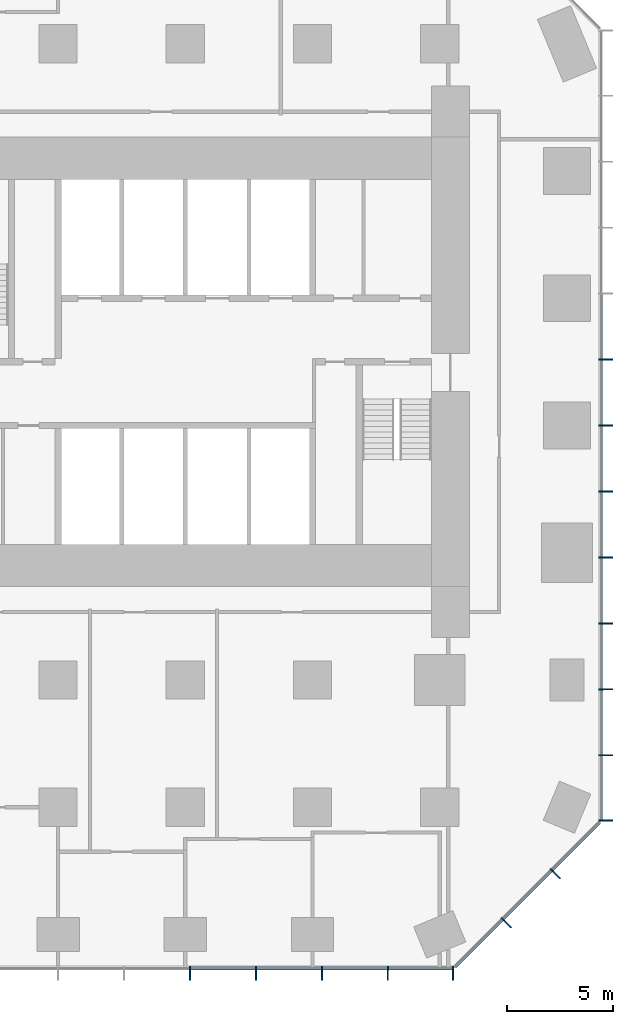
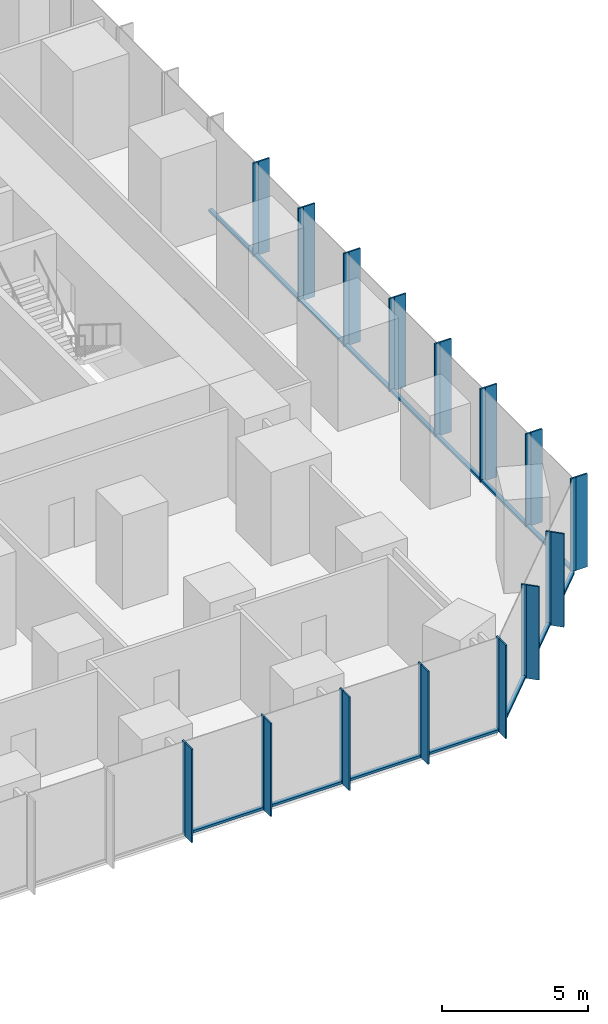
# One storey, part 4 of 12: 45 members, 3 elements without a shape of their own.
"""IFC4 building model written with IfcOpenShell, lengths in metres."""

from ifc_helpers import new_model, si_unit, direction, frame, origin, origin_2d, place, context, subcontext, project, spatial, rectangle, extrude, material, layer, layer_set, material_profile, profile_set, type_object, element, aggregate, save


model = new_model("IFC4")

# Units and contexts
model_context = context("Model", 3, precision=1e-05, world=origin(), true_north=direction((0.0, 1.0)))
body_context = subcontext(model_context, "Body", "Model", "MODEL_VIEW")
ifc_project = project(units=[si_unit("LENGTHUNIT", "METRE"), si_unit("AREAUNIT", "SQUARE_METRE"), si_unit("VOLUMEUNIT", "CUBIC_METRE"), si_unit("PLANEANGLEUNIT", "RADIAN"), si_unit("MASSUNIT", "GRAM", prefix="KILO")], contexts=[model_context])

# Site, building, storey
site_placement = place(None, origin())
site = spatial("IfcSite", under=ifc_project, at=site_placement, CompositionType="ELEMENT")
building_placement = place(site_placement, origin())
building = spatial("IfcBuilding", under=site, at=building_placement, Name="Highveld Stack Headquarters", CompositionType="ELEMENT")
storey_placement = place(building_placement, frame((0.0, 0.0, 22.10009765625)))
storey = spatial("IfcBuildingStorey", under=building, at=storey_placement, Name="L04", CompositionType="ELEMENT", Elevation=22.10009765625)

# Curtain wall, members
ifc_material_1 = material(Name="Aluminium bronze anodised", Category="aluminium")
ifc_layer_1 = layer(ifc_material_1, 0.199951171875)
ifc_layer_set_1 = layer_set([ifc_layer_1], Name="Aluminium bronze anodised")
curtain_wall_type_1 = type_object("IfcCurtainWallType", Name="CW1 TOWER UNITISED CURTAIN WALL", PredefinedType="NOTDEFINED", material=ifc_layer_set_1)
curtain_wall_1_placement = place(storey_placement, origin())
curtain_wall_1 = element("IfcCurtainWall", 1, at=curtain_wall_1_placement, inside=storey, type_object=curtain_wall_type_1, Name="Curtain wall CW1 L04 S", PredefinedType="NOTDEFINED")
ifc_material_2 = material(Name="Aluminium bronze anodised", Category="aluminium")
ifc_material_profile_1 = material_profile(ifc_material_2, rectangle(XDim=0.449951171875, YDim=0.06005859375, at=origin_2d()), Name="FIN 450x60")
ifc_profile_set_1 = profile_set([ifc_material_profile_1], Name="Aluminium bronze anodised")
member_type_1 = type_object("IfcMemberType", Name="CW1 BRONZE FIN 450x60", PredefinedType="USERDEFINED", material=ifc_profile_set_1)
member_1_placement = place(storey_placement, frame((6.220947265625, -25.925048828125, 0.0), z_axis=(0.0, 0.0, 1.0), x_axis=(0.0, 1.0, 0.0)))
member_1 = element("IfcMember", 2, at=member_1_placement, type_object=member_type_1, Name="CW1 fin L04 9", ObjectType="FIN", PredefinedType="USERDEFINED", context=body_context, shape_type="SweptSolid", body=[
    extrude(rectangle(XDim=0.449951171875, YDim=0.06005859375, at=origin_2d()), origin(), (0.0, 0.0, 1.0), 3.89990234375),
])
member_2_placement = place(storey_placement, frame((9.331298828125, -25.925048828125, 0.0), z_axis=(0.0, 0.0, 1.0), x_axis=(0.0, 1.0, 0.0)))
member_2 = element("IfcMember", 3, at=member_2_placement, type_object=member_type_1, Name="CW1 fin L04 10", ObjectType="FIN", PredefinedType="USERDEFINED", context=body_context, shape_type="SweptSolid", body=[
    extrude(rectangle(XDim=0.449951171875, YDim=0.06005859375, at=origin_2d()), origin(), (0.0, 0.0, 1.0), 3.89990234375),
])
member_3_placement = place(storey_placement, frame((12.44189453125, -25.925048828125, 0.0), z_axis=(0.0, 0.0, 1.0), x_axis=(0.0, 1.0, 0.0)))
member_3 = element("IfcMember", 4, at=member_3_placement, type_object=member_type_1, Name="CW1 fin L04 11", ObjectType="FIN", PredefinedType="USERDEFINED", context=body_context, shape_type="SweptSolid", body=[
    extrude(rectangle(XDim=0.449951171875, YDim=0.06005859375, at=origin_2d()), origin(), (0.0, 0.0, 1.0), 3.89990234375),
])
member_4_placement = place(storey_placement, frame((15.55224609375, -25.925048828125, 0.0), z_axis=(0.0, 0.0, 1.0), x_axis=(0.0, 1.0, 0.0)))
member_4 = element("IfcMember", 5, at=member_4_placement, type_object=member_type_1, Name="CW1 fin L04 12", ObjectType="FIN", PredefinedType="USERDEFINED", context=body_context, shape_type="SweptSolid", body=[
    extrude(rectangle(XDim=0.449951171875, YDim=0.06005859375, at=origin_2d()), origin(), (0.0, 0.0, 1.0), 3.89990234375),
])
member_5_placement = place(storey_placement, frame((18.630126953125, -25.925048828125, 0.0), z_axis=(0.0, 0.0, 1.0), x_axis=(0.0, 1.0, 0.0)))
member_5 = element("IfcMember", 6, at=member_5_placement, type_object=member_type_1, Name="CW1 fin L04 13", ObjectType="FIN", PredefinedType="USERDEFINED", context=body_context, shape_type="SweptSolid", body=[
    extrude(rectangle(XDim=0.449951171875, YDim=0.06005859375, at=origin_2d()), origin(), (0.0, 0.0, 1.0), 3.89990234375),
])

curtain_wall_2_placement = place(storey_placement, origin())
curtain_wall_2 = element("IfcCurtainWall", 7, at=curtain_wall_2_placement, inside=storey, type_object=curtain_wall_type_1, Name="Curtain wall CW1 L04 E", PredefinedType="NOTDEFINED")
member_6_placement = place(storey_placement, frame((25.925048828125, -18.630126953125, 0.0), z_axis=(0.0, 0.0, 1.0), x_axis=(-1.0, 0.0, 0.0)))
member_6 = element("IfcMember", 8, at=member_6_placement, type_object=member_type_1, Name="CW1 fin L04 1", ObjectType="FIN", PredefinedType="USERDEFINED", context=body_context, shape_type="SweptSolid", body=[
    extrude(rectangle(XDim=0.449951171875, YDim=0.06005859375, at=origin_2d()), origin(), (0.0, 0.0, 1.0), 3.89990234375),
])
member_7_placement = place(storey_placement, frame((25.925048828125, -15.55224609375, 0.0), z_axis=(0.0, 0.0, 1.0), x_axis=(-1.0, 0.0, 0.0)))
member_7 = element("IfcMember", 9, at=member_7_placement, type_object=member_type_1, Name="CW1 fin L04 2", ObjectType="FIN", PredefinedType="USERDEFINED", context=body_context, shape_type="SweptSolid", body=[
    extrude(rectangle(XDim=0.449951171875, YDim=0.06005859375, at=origin_2d()), origin(), (0.0, 0.0, 1.0), 3.89990234375),
])
member_8_placement = place(storey_placement, frame((25.925048828125, -12.44189453125, 0.0), z_axis=(0.0, 0.0, 1.0), x_axis=(-1.0, 0.0, 0.0)))
member_8 = element("IfcMember", 10, at=member_8_placement, type_object=member_type_1, Name="CW1 fin L04 3", ObjectType="FIN", PredefinedType="USERDEFINED", context=body_context, shape_type="SweptSolid", body=[
    extrude(rectangle(XDim=0.449951171875, YDim=0.06005859375, at=origin_2d()), origin(), (0.0, 0.0, 1.0), 3.89990234375),
])
member_9_placement = place(storey_placement, frame((25.925048828125, -9.331298828125, 0.0), z_axis=(0.0, 0.0, 1.0), x_axis=(-1.0, 0.0, 0.0)))
member_9 = element("IfcMember", 11, at=member_9_placement, type_object=member_type_1, Name="CW1 fin L04 4", ObjectType="FIN", PredefinedType="USERDEFINED", context=body_context, shape_type="SweptSolid", body=[
    extrude(rectangle(XDim=0.449951171875, YDim=0.06005859375, at=origin_2d()), origin(), (0.0, 0.0, 1.0), 3.89990234375),
])
member_10_placement = place(storey_placement, frame((25.925048828125, -6.220947265625, 0.0), z_axis=(0.0, 0.0, 1.0), x_axis=(-1.0, 0.0, 0.0)))
member_10 = element("IfcMember", 12, at=member_10_placement, type_object=member_type_1, Name="CW1 fin L04 5", ObjectType="FIN", PredefinedType="USERDEFINED", context=body_context, shape_type="SweptSolid", body=[
    extrude(rectangle(XDim=0.449951171875, YDim=0.06005859375, at=origin_2d()), origin(), (0.0, 0.0, 1.0), 3.89990234375),
])
member_11_placement = place(storey_placement, frame((25.925048828125, -3.110595703125, 0.0), z_axis=(0.0, 0.0, 1.0), x_axis=(-1.0, 0.0, 0.0)))
member_11 = element("IfcMember", 13, at=member_11_placement, type_object=member_type_1, Name="CW1 fin L04 6", ObjectType="FIN", PredefinedType="USERDEFINED", context=body_context, shape_type="SweptSolid", body=[
    extrude(rectangle(XDim=0.449951171875, YDim=0.06005859375, at=origin_2d()), origin(), (0.0, 0.0, 1.0), 3.89990234375),
])
member_12_placement = place(storey_placement, frame((25.925048828125, 0.0, 0.0), z_axis=(0.0, 0.0, 1.0), x_axis=(-1.0, 0.0, 0.0)))
member_12 = element("IfcMember", 14, at=member_12_placement, type_object=member_type_1, Name="CW1 fin L04 7", ObjectType="FIN", PredefinedType="USERDEFINED", context=body_context, shape_type="SweptSolid", body=[
    extrude(rectangle(XDim=0.449951171875, YDim=0.06005859375, at=origin_2d()), origin(), (0.0, 0.0, 1.0), 3.89990234375),
])
member_13_placement = place(storey_placement, frame((25.925048828125, 3.110595703125, 0.0), z_axis=(0.0, 0.0, 1.0), x_axis=(-1.0, 0.0, 0.0)))
member_13 = element("IfcMember", 15, at=member_13_placement, type_object=member_type_1, Name="CW1 fin L04 8", ObjectType="FIN", PredefinedType="USERDEFINED", context=body_context, shape_type="SweptSolid", body=[
    extrude(rectangle(XDim=0.449951171875, YDim=0.06005859375, at=origin_2d()), origin(), (0.0, 0.0, 1.0), 3.89990234375),
])

# Member
ifc_material_3 = material(Name="Aluminium bronze anodised", Category="aluminium")
ifc_material_profile_2 = material_profile(ifc_material_3, rectangle(XDim=0.199951171875, YDim=0.06494140625, at=origin_2d()), Name="CW1 MULLION 65x200")
ifc_profile_set_2 = profile_set([ifc_material_profile_2], Name="Aluminium bronze anodised")
member_type_2 = type_object("IfcMemberType", Name="CW1 MULLION 65x200", PredefinedType="MULLION", material=ifc_profile_set_2)
member_14_placement = place(storey_placement, frame((6.220947265625, -25.60009765625, 0.0), z_axis=(0.0, 0.0, 1.0), x_axis=(0.0, 1.0, 0.0)))
member_14 = element("IfcMember", 16, at=member_14_placement, type_object=member_type_2, Name="CW1 mullion L04 9", PredefinedType="MULLION", context=body_context, shape_type="SweptSolid", body=[
    extrude(rectangle(XDim=0.199951171875, YDim=0.06494140625, at=origin_2d()), origin(), (0.0, 0.0, 1.0), 3.89990234375),
])

member_15_placement = place(storey_placement, frame((9.331298828125, -25.60009765625, 0.0), z_axis=(0.0, 0.0, 1.0), x_axis=(0.0, 1.0, 0.0)))
member_15 = element("IfcMember", 17, at=member_15_placement, type_object=member_type_2, Name="CW1 mullion L04 10", PredefinedType="MULLION", context=body_context, shape_type="SweptSolid", body=[
    extrude(rectangle(XDim=0.199951171875, YDim=0.06494140625, at=origin_2d()), origin(), (0.0, 0.0, 1.0), 3.89990234375),
])

member_16_placement = place(storey_placement, frame((12.44189453125, -25.60009765625, 0.0), z_axis=(0.0, 0.0, 1.0), x_axis=(0.0, 1.0, 0.0)))
member_16 = element("IfcMember", 18, at=member_16_placement, type_object=member_type_2, Name="CW1 mullion L04 11", PredefinedType="MULLION", context=body_context, shape_type="SweptSolid", body=[
    extrude(rectangle(XDim=0.199951171875, YDim=0.06494140625, at=origin_2d()), origin(), (0.0, 0.0, 1.0), 3.89990234375),
])

member_17_placement = place(storey_placement, frame((15.55224609375, -25.60009765625, 0.0), z_axis=(0.0, 0.0, 1.0), x_axis=(0.0, 1.0, 0.0)))
member_17 = element("IfcMember", 19, at=member_17_placement, type_object=member_type_2, Name="CW1 mullion L04 12", PredefinedType="MULLION", context=body_context, shape_type="SweptSolid", body=[
    extrude(rectangle(XDim=0.199951171875, YDim=0.06494140625, at=origin_2d()), origin(), (0.0, 0.0, 1.0), 3.89990234375),
])

member_18_placement = place(storey_placement, frame((18.630126953125, -25.60009765625, 0.0), z_axis=(0.0, 0.0, 1.0), x_axis=(0.0, 1.0, 0.0)))
member_18 = element("IfcMember", 20, at=member_18_placement, type_object=member_type_2, Name="CW1 mullion L04 13", PredefinedType="MULLION", context=body_context, shape_type="SweptSolid", body=[
    extrude(rectangle(XDim=0.199951171875, YDim=0.06494140625, at=origin_2d()), origin(), (0.0, 0.0, 1.0), 3.89990234375),
])

member_19_placement = place(storey_placement, frame((25.60009765625, -18.630126953125, 0.0), z_axis=(0.0, 0.0, 1.0), x_axis=(-1.0, 0.0, 0.0)))
member_19 = element("IfcMember", 21, at=member_19_placement, type_object=member_type_2, Name="CW1 mullion L04 1", PredefinedType="MULLION", context=body_context, shape_type="SweptSolid", body=[
    extrude(rectangle(XDim=0.199951171875, YDim=0.06494140625, at=origin_2d()), origin(), (0.0, 0.0, 1.0), 3.89990234375),
])

member_20_placement = place(storey_placement, frame((25.60009765625, -15.55224609375, 0.0), z_axis=(0.0, 0.0, 1.0), x_axis=(-1.0, 0.0, 0.0)))
member_20 = element("IfcMember", 22, at=member_20_placement, type_object=member_type_2, Name="CW1 mullion L04 2", PredefinedType="MULLION", context=body_context, shape_type="SweptSolid", body=[
    extrude(rectangle(XDim=0.199951171875, YDim=0.06494140625, at=origin_2d()), origin(), (0.0, 0.0, 1.0), 3.89990234375),
])

member_21_placement = place(storey_placement, frame((25.60009765625, -12.44189453125, 0.0), z_axis=(0.0, 0.0, 1.0), x_axis=(-1.0, 0.0, 0.0)))
member_21 = element("IfcMember", 23, at=member_21_placement, type_object=member_type_2, Name="CW1 mullion L04 3", PredefinedType="MULLION", context=body_context, shape_type="SweptSolid", body=[
    extrude(rectangle(XDim=0.199951171875, YDim=0.06494140625, at=origin_2d()), origin(), (0.0, 0.0, 1.0), 3.89990234375),
])

member_22_placement = place(storey_placement, frame((25.60009765625, -9.331298828125, 0.0), z_axis=(0.0, 0.0, 1.0), x_axis=(-1.0, 0.0, 0.0)))
member_22 = element("IfcMember", 24, at=member_22_placement, type_object=member_type_2, Name="CW1 mullion L04 4", PredefinedType="MULLION", context=body_context, shape_type="SweptSolid", body=[
    extrude(rectangle(XDim=0.199951171875, YDim=0.06494140625, at=origin_2d()), origin(), (0.0, 0.0, 1.0), 3.89990234375),
])

member_23_placement = place(storey_placement, frame((25.60009765625, -6.220947265625, 0.0), z_axis=(0.0, 0.0, 1.0), x_axis=(-1.0, 0.0, 0.0)))
member_23 = element("IfcMember", 25, at=member_23_placement, type_object=member_type_2, Name="CW1 mullion L04 5", PredefinedType="MULLION", context=body_context, shape_type="SweptSolid", body=[
    extrude(rectangle(XDim=0.199951171875, YDim=0.06494140625, at=origin_2d()), origin(), (0.0, 0.0, 1.0), 3.89990234375),
])

member_24_placement = place(storey_placement, frame((25.60009765625, -3.110595703125, 0.0), z_axis=(0.0, 0.0, 1.0), x_axis=(-1.0, 0.0, 0.0)))
member_24 = element("IfcMember", 26, at=member_24_placement, type_object=member_type_2, Name="CW1 mullion L04 6", PredefinedType="MULLION", context=body_context, shape_type="SweptSolid", body=[
    extrude(rectangle(XDim=0.199951171875, YDim=0.06494140625, at=origin_2d()), origin(), (0.0, 0.0, 1.0), 3.89990234375),
])

member_25_placement = place(storey_placement, frame((25.60009765625, 0.0, 0.0), z_axis=(0.0, 0.0, 1.0), x_axis=(-1.0, 0.0, 0.0)))
member_25 = element("IfcMember", 27, at=member_25_placement, type_object=member_type_2, Name="CW1 mullion L04 7", PredefinedType="MULLION", context=body_context, shape_type="SweptSolid", body=[
    extrude(rectangle(XDim=0.199951171875, YDim=0.06494140625, at=origin_2d()), origin(), (0.0, 0.0, 1.0), 3.89990234375),
])

member_26_placement = place(storey_placement, frame((25.60009765625, 3.110595703125, 0.0), z_axis=(0.0, 0.0, 1.0), x_axis=(-1.0, 0.0, 0.0)))
member_26 = element("IfcMember", 28, at=member_26_placement, type_object=member_type_2, Name="CW1 mullion L04 8", PredefinedType="MULLION", context=body_context, shape_type="SweptSolid", body=[
    extrude(rectangle(XDim=0.199951171875, YDim=0.06494140625, at=origin_2d()), origin(), (0.0, 0.0, 1.0), 3.89990234375),
])

ifc_material_4 = material(Name="Aluminium bronze anodised", Category="aluminium")
ifc_material_profile_3 = material_profile(ifc_material_4, rectangle(XDim=0.14990234375, YDim=0.10009765625, at=origin_2d()), Name="CW1 TRANSOM 150x100")
ifc_profile_set_3 = profile_set([ifc_material_profile_3], Name="Aluminium bronze anodised")
member_type_3 = type_object("IfcMemberType", Name="CW1 STACK TRANSOM 150x100", PredefinedType="USERDEFINED", material=ifc_profile_set_3)
member_27_placement = place(storey_placement, frame((6.25341796875, -25.60009765625, 0.0498046875), z_axis=(1.0, 0.0, 0.0), x_axis=(0.0, 1.0, 0.0)))
member_27 = element("IfcMember", 29, at=member_27_placement, type_object=member_type_3, Name="CW1 transom L04 9.1", ObjectType="TRANSOM", PredefinedType="USERDEFINED", context=body_context, shape_type="SweptSolid", body=[
    extrude(rectangle(XDim=0.14990234375, YDim=0.10009765625, at=origin_2d()), origin(), (0.0, 0.0, 1.0), 3.04541015625),
])

member_28_placement = place(storey_placement, frame((9.36376953125, -25.60009765625, 0.0498046875), z_axis=(1.0, 0.0, 0.0), x_axis=(0.0, 1.0, 0.0)))
member_28 = element("IfcMember", 30, at=member_28_placement, type_object=member_type_3, Name="CW1 transom L04 10.1", ObjectType="TRANSOM", PredefinedType="USERDEFINED", context=body_context, shape_type="SweptSolid", body=[
    extrude(rectangle(XDim=0.14990234375, YDim=0.10009765625, at=origin_2d()), origin(), (0.0, 0.0, 1.0), 3.04541015625),
])

member_29_placement = place(storey_placement, frame((12.474365234375, -25.60009765625, 0.0498046875), z_axis=(1.0, 0.0, 0.0), x_axis=(0.0, 1.0, 0.0)))
member_29 = element("IfcMember", 31, at=member_29_placement, type_object=member_type_3, Name="CW1 transom L04 11.1", ObjectType="TRANSOM", PredefinedType="USERDEFINED", context=body_context, shape_type="SweptSolid", body=[
    extrude(rectangle(XDim=0.14990234375, YDim=0.10009765625, at=origin_2d()), origin(), (0.0, 0.0, 1.0), 3.04541015625),
])

member_30_placement = place(storey_placement, frame((15.584716796875, -25.60009765625, 0.0498046875), z_axis=(1.0, 0.0, 0.0), x_axis=(0.0, 1.0, 0.0)))
member_30 = element("IfcMember", 32, at=member_30_placement, type_object=member_type_3, Name="CW1 transom L04 12.1", ObjectType="TRANSOM", PredefinedType="USERDEFINED", context=body_context, shape_type="SweptSolid", body=[
    extrude(rectangle(XDim=0.14990234375, YDim=0.10009765625, at=origin_2d()), origin(), (0.0, 0.0, 1.0), 3.012939453125),
])

aggregate(curtain_wall_1, [member_14, member_1, member_15, member_2, member_16, member_3, member_17, member_4, member_18, member_5, member_27, member_28, member_29, member_30])

member_31_placement = place(storey_placement, frame((25.60009765625, -18.59765625, 0.0498046875), z_axis=(0.0, 1.0, 0.0), x_axis=(-1.0, 0.0, 0.0)))
member_31 = element("IfcMember", 33, at=member_31_placement, type_object=member_type_3, Name="CW1 transom L04 1.1", ObjectType="TRANSOM", PredefinedType="USERDEFINED", context=body_context, shape_type="SweptSolid", body=[
    extrude(rectangle(XDim=0.14990234375, YDim=0.10009765625, at=origin_2d()), origin(), (0.0, 0.0, 1.0), 3.012939453125),
])

member_32_placement = place(storey_placement, frame((25.60009765625, -15.519775390625, 0.0498046875), z_axis=(0.0, 1.0, 0.0), x_axis=(-1.0, 0.0, 0.0)))
member_32 = element("IfcMember", 34, at=member_32_placement, type_object=member_type_3, Name="CW1 transom L04 2.1", ObjectType="TRANSOM", PredefinedType="USERDEFINED", context=body_context, shape_type="SweptSolid", body=[
    extrude(rectangle(XDim=0.14990234375, YDim=0.10009765625, at=origin_2d()), origin(), (0.0, 0.0, 1.0), 3.04541015625),
])

member_33_placement = place(storey_placement, frame((25.60009765625, -12.4091796875, 0.0498046875), z_axis=(0.0, 1.0, 0.0), x_axis=(-1.0, 0.0, 0.0)))
member_33 = element("IfcMember", 35, at=member_33_placement, type_object=member_type_3, Name="CW1 transom L04 3.1", ObjectType="TRANSOM", PredefinedType="USERDEFINED", context=body_context, shape_type="SweptSolid", body=[
    extrude(rectangle(XDim=0.14990234375, YDim=0.10009765625, at=origin_2d()), origin(), (0.0, 0.0, 1.0), 3.045166015625),
])

member_34_placement = place(storey_placement, frame((25.60009765625, -9.298828125, 0.0498046875), z_axis=(0.0, 1.0, 0.0), x_axis=(-1.0, 0.0, 0.0)))
member_34 = element("IfcMember", 36, at=member_34_placement, type_object=member_type_3, Name="CW1 transom L04 4.1", ObjectType="TRANSOM", PredefinedType="USERDEFINED", context=body_context, shape_type="SweptSolid", body=[
    extrude(rectangle(XDim=0.14990234375, YDim=0.10009765625, at=origin_2d()), origin(), (0.0, 0.0, 1.0), 3.04541015625),
])

member_35_placement = place(storey_placement, frame((25.60009765625, -6.1884765625, 0.0498046875), z_axis=(0.0, 1.0, 0.0), x_axis=(-1.0, 0.0, 0.0)))
member_35 = element("IfcMember", 37, at=member_35_placement, type_object=member_type_3, Name="CW1 transom L04 5.1", ObjectType="TRANSOM", PredefinedType="USERDEFINED", context=body_context, shape_type="SweptSolid", body=[
    extrude(rectangle(XDim=0.14990234375, YDim=0.10009765625, at=origin_2d()), origin(), (0.0, 0.0, 1.0), 3.04541015625),
])

member_36_placement = place(storey_placement, frame((25.60009765625, -3.077880859375, 0.0498046875), z_axis=(0.0, 1.0, 0.0), x_axis=(-1.0, 0.0, 0.0)))
member_36 = element("IfcMember", 38, at=member_36_placement, type_object=member_type_3, Name="CW1 transom L04 6.1", ObjectType="TRANSOM", PredefinedType="USERDEFINED", context=body_context, shape_type="SweptSolid", body=[
    extrude(rectangle(XDim=0.14990234375, YDim=0.10009765625, at=origin_2d()), origin(), (0.0, 0.0, 1.0), 3.04541015625),
])

member_37_placement = place(storey_placement, frame((25.60009765625, 0.032470703125, 0.0498046875), z_axis=(0.0, 1.0, 0.0), x_axis=(-1.0, 0.0, 0.0)))
member_37 = element("IfcMember", 39, at=member_37_placement, type_object=member_type_3, Name="CW1 transom L04 7.1", ObjectType="TRANSOM", PredefinedType="USERDEFINED", context=body_context, shape_type="SweptSolid", body=[
    extrude(rectangle(XDim=0.14990234375, YDim=0.10009765625, at=origin_2d()), origin(), (0.0, 0.0, 1.0), 3.04541015625),
])

member_38_placement = place(storey_placement, frame((25.60009765625, 3.142822265625, 0.0498046875), z_axis=(0.0, 1.0, 0.0), x_axis=(-1.0, 0.0, 0.0)))
member_38 = element("IfcMember", 40, at=member_38_placement, type_object=member_type_3, Name="CW1 transom L04 8.1", ObjectType="TRANSOM", PredefinedType="USERDEFINED", context=body_context, shape_type="SweptSolid", body=[
    extrude(rectangle(XDim=0.14990234375, YDim=0.10009765625, at=origin_2d()), origin(), (0.0, 0.0, 1.0), 3.045654296875),
])

aggregate(curtain_wall_2, [member_19, member_6, member_20, member_7, member_21, member_8, member_22, member_9, member_23, member_10, member_24, member_11, member_25, member_12, member_26, member_13, member_31, member_32, member_33, member_34, member_35, member_36, member_37, member_38])

# Curtain wall, members
ifc_material_5 = material(Name="Aluminium bronze anodised", Category="aluminium")
ifc_layer_2 = layer(ifc_material_5, 0.199951171875)
ifc_layer_set_2 = layer_set([ifc_layer_2], Name="Aluminium bronze anodised")
curtain_wall_type_2 = type_object("IfcCurtainWallType", Name="CW2 TOWER CHAMFER UNITISED CURTAIN WALL", PredefinedType="NOTDEFINED", material=ifc_layer_set_2)
curtain_wall_3_placement = place(storey_placement, origin())
curtain_wall_3 = element("IfcCurtainWall", 41, at=curtain_wall_3_placement, inside=storey, type_object=curtain_wall_type_2, Name="Curtain wall CW2 L04 SE", PredefinedType="NOTDEFINED")
ifc_material_6 = material(Name="Aluminium bronze anodised", Category="aluminium")
ifc_material_profile_4 = material_profile(ifc_material_6, rectangle(XDim=0.449951171875, YDim=0.06005859375, at=origin_2d()), Name="FIN 450x60")
ifc_profile_set_4 = profile_set([ifc_material_profile_4], Name="Aluminium bronze anodised")
member_type_4 = type_object("IfcMemberType", Name="CW2 BRONZE FIN 450x60", PredefinedType="USERDEFINED", material=ifc_profile_set_4)
member_39_placement = place(storey_placement, frame((21.204833984375, -23.517333984375, 0.0), z_axis=(0.0, 0.0, 1.0), x_axis=(-0.707106781187, 0.707106781187, 0.0)))
member_39 = element("IfcMember", 42, at=member_39_placement, type_object=member_type_4, Name="CW2 fin L04 1", ObjectType="FIN", PredefinedType="USERDEFINED", context=body_context, shape_type="SweptSolid", body=[
    extrude(rectangle(XDim=0.449951171875, YDim=0.06005859375, at=origin_2d()), origin(), (0.0, 0.0, 1.0), 3.89990234375),
])
member_40_placement = place(storey_placement, frame((23.517333984375, -21.204833984375, 0.0), z_axis=(0.0, 0.0, 1.0), x_axis=(-0.707106781187, 0.707106781187, 0.0)))
member_40 = element("IfcMember", 43, at=member_40_placement, type_object=member_type_4, Name="CW2 fin L04 2", ObjectType="FIN", PredefinedType="USERDEFINED", context=body_context, shape_type="SweptSolid", body=[
    extrude(rectangle(XDim=0.449951171875, YDim=0.06005859375, at=origin_2d()), origin(), (0.0, 0.0, 1.0), 3.89990234375),
])
ifc_material_7 = material(Name="Aluminium bronze anodised", Category="aluminium")
ifc_material_profile_5 = material_profile(ifc_material_7, rectangle(XDim=0.199951171875, YDim=0.06494140625, at=origin_2d()), Name="CW2 MULLION 65x200")
ifc_profile_set_5 = profile_set([ifc_material_profile_5], Name="Aluminium bronze anodised")
member_type_5 = type_object("IfcMemberType", Name="CW2 MULLION 65x200", PredefinedType="MULLION", material=ifc_profile_set_5)
member_41_placement = place(storey_placement, frame((20.97509765625, -23.28759765625, 0.0), z_axis=(0.0, 0.0, 1.0), x_axis=(-0.707106781187, 0.707106781187, 0.0)))
member_41 = element("IfcMember", 44, at=member_41_placement, type_object=member_type_5, Name="CW2 mullion L04 1", PredefinedType="MULLION", context=body_context, shape_type="SweptSolid", body=[
    extrude(rectangle(XDim=0.199951171875, YDim=0.06494140625, at=origin_2d()), origin(), (0.0, 0.0, 1.0), 3.89990234375),
])
member_42_placement = place(storey_placement, frame((23.28759765625, -20.97509765625, 0.0), z_axis=(0.0, 0.0, 1.0), x_axis=(-0.707106781187, 0.707106781187, 0.0)))
member_42 = element("IfcMember", 45, at=member_42_placement, type_object=member_type_5, Name="CW2 mullion L04 2", PredefinedType="MULLION", context=body_context, shape_type="SweptSolid", body=[
    extrude(rectangle(XDim=0.199951171875, YDim=0.06494140625, at=origin_2d()), origin(), (0.0, 0.0, 1.0), 3.89990234375),
])
ifc_material_8 = material(Name="Aluminium bronze anodised", Category="aluminium")
ifc_material_profile_6 = material_profile(ifc_material_8, rectangle(XDim=0.14990234375, YDim=0.10009765625, at=origin_2d()), Name="CW2 TRANSOM 150x100")
ifc_profile_set_6 = profile_set([ifc_material_profile_6], Name="Aluminium bronze anodised")
member_type_6 = type_object("IfcMemberType", Name="CW2 STACK TRANSOM 150x100", PredefinedType="USERDEFINED", material=ifc_profile_set_6)
member_43_placement = place(storey_placement, frame((18.7333984375, -25.529296875, 0.0498046875), z_axis=(0.707106781187, 0.707106781187, 0.0), x_axis=(-0.707106781187, 0.707106781187, 0.0)))
member_43 = element("IfcMember", 46, at=member_43_placement, type_object=member_type_6, Name="CW2 transom L04 1.1", ObjectType="TRANSOM", PredefinedType="USERDEFINED", context=body_context, shape_type="SweptSolid", body=[
    extrude(rectangle(XDim=0.14990234375, YDim=0.10009765625, at=origin_2d()), origin(), (0.0, 0.0, 1.0), 3.1376953125),
])
member_44_placement = place(storey_placement, frame((20.998046875, -23.2646484375, 0.0498046875), z_axis=(0.707106781187, 0.707106781187, 0.0), x_axis=(-0.707106781187, 0.707106781187, 0.0)))
member_44 = element("IfcMember", 47, at=member_44_placement, type_object=member_type_6, Name="CW2 transom L04 2.1", ObjectType="TRANSOM", PredefinedType="USERDEFINED", context=body_context, shape_type="SweptSolid", body=[
    extrude(rectangle(XDim=0.14990234375, YDim=0.10009765625, at=origin_2d()), origin(), (0.0, 0.0, 1.0), 3.20556640625),
])
member_45_placement = place(storey_placement, frame((23.310546875, -20.9521484375, 0.0498046875), z_axis=(0.707106781187, 0.707106781187, 0.0), x_axis=(-0.707106781187, 0.707106781187, 0.0)))
member_45 = element("IfcMember", 48, at=member_45_placement, type_object=member_type_6, Name="CW2 transom L04 3.1", ObjectType="TRANSOM", PredefinedType="USERDEFINED", context=body_context, shape_type="SweptSolid", body=[
    extrude(rectangle(XDim=0.14990234375, YDim=0.10009765625, at=origin_2d()), origin(), (0.0, 0.0, 1.0), 3.1376953125),
])
aggregate(curtain_wall_3, [member_41, member_39, member_42, member_40, member_43, member_44, member_45])

save(model, "model.ifc")
